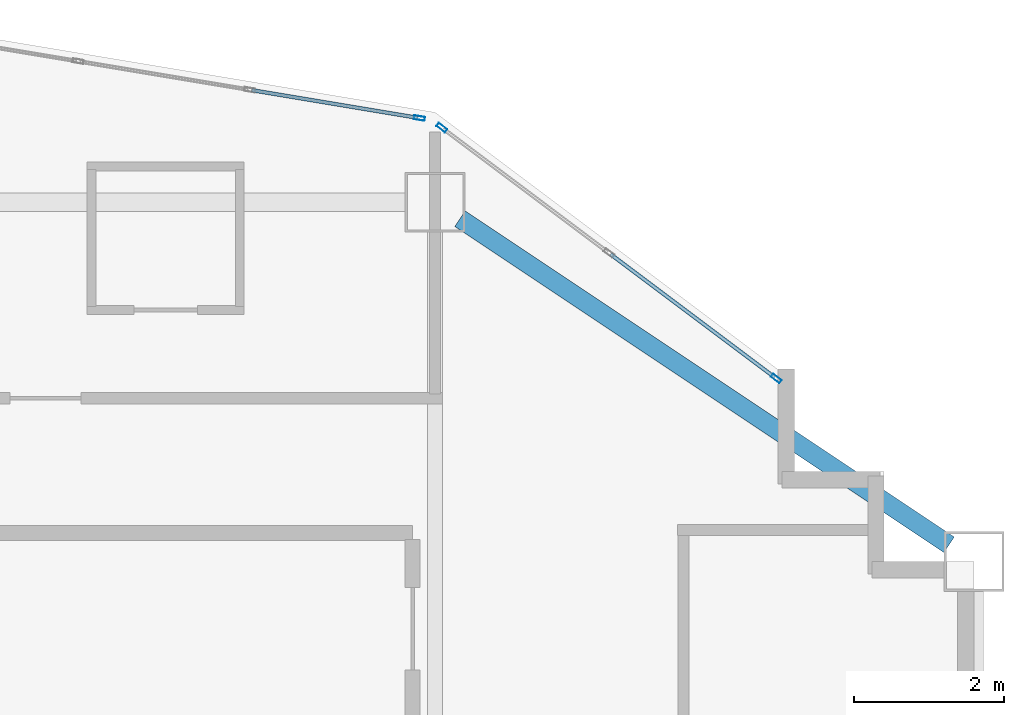
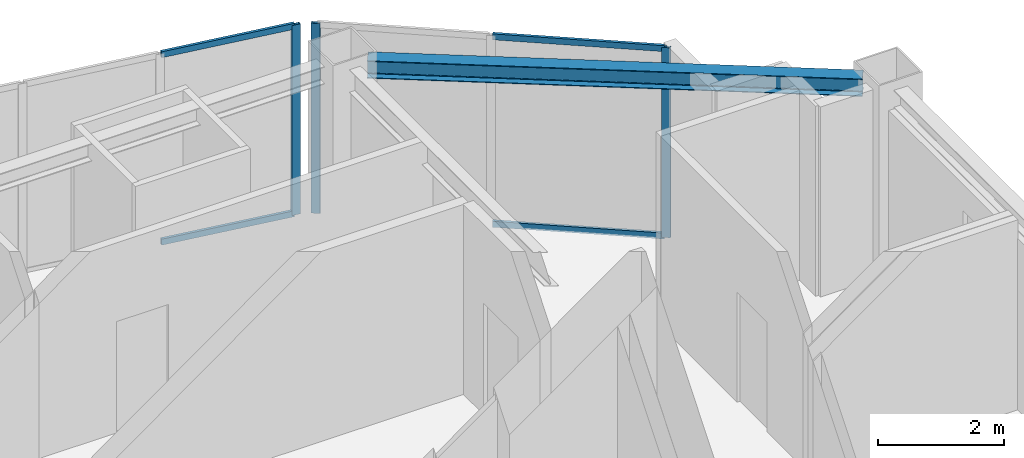
# One storey, part 3 of 10: 7 members, 1 beam, 2 elements without a shape of their own.
"""IFC4 building model written with IfcOpenShell, lengths in metres."""

import ifcopenshell
import ifcopenshell.guid

model = None  # the IFC model being written
_history = None  # IfcOwnerHistory: only IFC2X3 demands one
_inside = {}  # id of a spatial element -> (the spatial element, [elements in it])
_under = {}  # id of a project, library or spatial element -> (it, [spatial elements below it])
_declared = {}  # id of a project -> (the project, [libraries it declares])
_typed = {}  # id of a type object -> (the type object, [elements of that type])
_made_of = {}  # id of a material, layer set ... -> (it, [elements and type objects made of it])


def new_model(schema):
    """Start an empty IFC model of exactly this schema.

    Asked for "IFC4X3", IfcOpenShell would pick the latest addendum, in which some entities
    have other attributes; the version numbers below select the first issue.
    IFC2X3 requires an IfcOwnerHistory on every rooted entity: one is made here for all.
    """
    global model, _history
    if schema == "IFC4X3":
        model = ifcopenshell.file(schema_version=(4, 3, 0, 0))
    else:
        model = ifcopenshell.file(schema=schema)
    _inside.clear()
    _under.clear()
    _declared.clear()
    _typed.clear()
    _made_of.clear()
    _history = None
    if model.schema == "IFC2X3":
        org = make("IfcOrganization", Name="unknown")
        user = make(
            "IfcPersonAndOrganization",
            ThePerson=make("IfcPerson", FamilyName="unknown"),
            TheOrganization=org,
        )
        app = make(
            "IfcApplication",
            ApplicationDeveloper=org,
            Version="unknown",
            ApplicationFullName="unknown",
            ApplicationIdentifier="unknown",
        )
        _history = make(
            "IfcOwnerHistory",
            OwningUser=user,
            OwningApplication=app,
            ChangeAction="ADDED",
            CreationDate=0,
        )
    return model


def make(cls, **values):
    """One entity of the class cls with the attributes given. An attribute that is None is left unset."""
    return model.create_entity(
        cls, **{name: value for name, value in values.items() if value is not None}
    )


def rooted(cls, **values):
    """An entity with a GlobalId (a new one), such as an element, a storey or a relation."""
    return make(cls, GlobalId=ifcopenshell.guid.new(), OwnerHistory=_history, **values)


def si_unit(unit_type, name, prefix=None):
    """IfcSIUnit, for example si_unit("LENGTHUNIT", "METRE", prefix="MILLI")."""
    return make("IfcSIUnit", UnitType=unit_type, Prefix=prefix, Name=name)


def assignment(units):
    """IfcUnitAssignment: the units of a project."""
    return None if units is None else make("IfcUnitAssignment", Units=units)


def point(xyz):
    """IfcCartesianPoint."""
    return None if xyz is None else make("IfcCartesianPoint", Coordinates=xyz)


def direction(xyz):
    """IfcDirection."""
    return None if xyz is None else make("IfcDirection", DirectionRatios=xyz)


def frame(location, z_axis=None, x_axis=None):
    """IfcAxis2Placement3D, a coordinate frame: its origin and axes. An axis left out is left unset."""
    return make(
        "IfcAxis2Placement3D",
        Location=point(location),
        Axis=direction(z_axis),
        RefDirection=direction(x_axis),
    )


def frame_2d(location, x_axis=None):
    """IfcAxis2Placement2D, a coordinate frame in the plane: its origin and x axis."""
    return make(
        "IfcAxis2Placement2D", Location=point(location), RefDirection=direction(x_axis)
    )


def origin():
    """The frame at (0, 0, 0) with its axes left unset."""
    return frame((0.0, 0.0, 0.0))


def origin_2d():
    """The frame at (0, 0) in the plane with its x axis left unset."""
    return frame_2d((0.0, 0.0))


def place(relative_to, where):
    """IfcLocalPlacement: puts the frame where relative to a parent placement (None: the world)."""
    return make(
        "IfcLocalPlacement", PlacementRelTo=relative_to, RelativePlacement=where
    )


def context(
    kind, dimensions, precision=None, world=None, true_north=None, identifier=None
):
    """IfcGeometricRepresentationContext, for example the 3D "Model" context."""
    return make(
        "IfcGeometricRepresentationContext",
        ContextIdentifier=identifier,
        ContextType=kind,
        CoordinateSpaceDimension=dimensions,
        Precision=precision,
        WorldCoordinateSystem=world,
        TrueNorth=true_north,
    )


def subcontext(parent, identifier, kind, view, scale=None):
    """IfcGeometricRepresentationSubContext, for example "Body" below "Model"."""
    return make(
        "IfcGeometricRepresentationSubContext",
        ContextIdentifier=identifier,
        ContextType=kind,
        ParentContext=parent,
        TargetScale=scale,
        TargetView=view,
    )


def project(units=None, contexts=None):
    """IfcProject with its units and contexts."""
    return rooted(
        "IfcProject",
        Name="project",
        RepresentationContexts=contexts,
        UnitsInContext=assignment(units),
    )


def spatial(cls, under=None, at=None, **own):
    """A site, building, storey or space (cls), placed at a placement, below another one or the project."""
    s = rooted(cls, ObjectPlacement=at, **own)
    if under is not None:
        _under.setdefault(under.id(), (under, []))[1].append(s)
    return s


def profile(cls, at=None, kind="AREA", **sizes):
    """A parametric profile (cls). Its sizes go by their IFC names, for example OverallWidth=200.0."""
    return make(cls, ProfileType=kind, Position=at, **sizes)


def hollow_rectangle(**sizes):
    """IfcRectangleHollowProfileDef."""
    return profile("IfcRectangleHollowProfileDef", **sizes)


def i_section(**sizes):
    """IfcIShapeProfileDef."""
    return profile("IfcIShapeProfileDef", **sizes)


def extrude(swept, where, along, depth):
    """IfcExtrudedAreaSolid: the profile swept, set in the frame where, extruded along a direction by depth."""
    return make(
        "IfcExtrudedAreaSolid",
        SweptArea=swept,
        Position=where,
        ExtrudedDirection=direction(along),
        Depth=depth,
    )


def shape(context_of_items, identifier, shape_type, items):
    """IfcShapeRepresentation: the items that make up one representation, for example the "Body"."""
    return make(
        "IfcShapeRepresentation",
        ContextOfItems=context_of_items,
        RepresentationIdentifier=identifier,
        RepresentationType=shape_type,
        Items=items,
    )


def material(Name=None, Category=None):
    """IfcMaterial."""
    return make("IfcMaterial", Name=Name, Category=Category)


def layer(
    of_material, thickness, ventilated=None, Name=None, Category=None, Priority=None
):
    """IfcMaterialLayer: one layer of a wall or slab, of a material (None: an air gap)."""
    return make(
        "IfcMaterialLayer",
        Material=of_material,
        LayerThickness=thickness,
        IsVentilated=ventilated,
        Name=Name,
        Category=Category,
        Priority=Priority,
    )


def layer_set(layers, Name=None):
    """IfcMaterialLayerSet."""
    return make("IfcMaterialLayerSet", MaterialLayers=layers, LayerSetName=Name)


def material_profile(
    of_material, cross_section, Name=None, Category=None, Priority=None
):
    """IfcMaterialProfile: a cross section and its material."""
    return make(
        "IfcMaterialProfile",
        Name=Name,
        Material=of_material,
        Profile=cross_section,
        Priority=Priority,
        Category=Category,
    )


def profile_set(profiles, Name=None, composite=None):
    """IfcMaterialProfileSet."""
    return make(
        "IfcMaterialProfileSet",
        Name=Name,
        MaterialProfiles=profiles,
        CompositeProfile=composite,
    )


def made_of(thing, what):
    """Note that an element or type object is made of a material, layer set ...; save() writes the relation."""
    if what is not None:
        _made_of.setdefault(what.id(), (what, []))[1].append(thing)
    return thing


def type_object(cls, material=None, **own):
    """A type object (cls), such as IfcWallType, which elements share."""
    return made_of(rooted(cls, **own), material)


def element(
    cls,
    number,
    at=None,
    inside=None,
    cuts=None,
    type_object=None,
    material=None,
    context=None,
    identifier="Body",
    shape_type=None,
    held_by="IfcProductDefinitionShape",
    body=None,
    shapes=None,
    **own,
):
    """One element of the class cls, such as IfcWall. Its Tag is "e" and its number.

    at: its placement. inside: the storey or other place that contains it. cuts: it is an
    opening in that element (IfcRelVoidsElement). A single representation is given by context,
    identifier, shape_type and body (its items); several are given by shapes. held_by: the class
    of the entity that holds the representations. save() writes the other relations.
    """
    e = rooted(cls, Tag="e%d" % number, ObjectPlacement=at, **own)
    if body is not None:
        shapes = [shape(context, identifier, shape_type, body)]
    if shapes is not None:
        e.Representation = make(held_by, Representations=shapes)
    if inside is not None:
        _inside.setdefault(inside.id(), (inside, []))[1].append(e)
    if cuts is not None:
        rooted(
            "IfcRelVoidsElement", RelatingBuildingElement=cuts, RelatedOpeningElement=e
        )
    if type_object is not None:
        _typed.setdefault(type_object.id(), (type_object, []))[1].append(e)
    return made_of(e, material)


def aggregate(whole, parts):
    """IfcRelAggregates: a whole, such as a stair, and the parts it consists of."""
    return rooted("IfcRelAggregates", RelatingObject=whole, RelatedObjects=parts)


def save(model, path):
    """Write the relations noted so far, then the file.

    IfcRelAggregates (storeys below a building ...), IfcRelContainedInSpatialStructure (elements
    in a storey), IfcRelDefinesByType, IfcRelAssociatesMaterial and IfcRelDeclares: one each for
    every whole, place, type object, material and project.
    """
    for whole, parts in _under.values():
        aggregate(whole, parts)
    for where, things in _inside.values():
        rooted(
            "IfcRelContainedInSpatialStructure",
            RelatedElements=things,
            RelatingStructure=where,
        )
    for kind, things in _typed.values():
        rooted("IfcRelDefinesByType", RelatedObjects=things, RelatingType=kind)
    for what, things in _made_of.values():
        rooted("IfcRelAssociatesMaterial", RelatedObjects=things, RelatingMaterial=what)
    for by, libraries in _declared.values():
        rooted("IfcRelDeclares", RelatingContext=by, RelatedDefinitions=libraries)
    model.write(path)


model = new_model("IFC4")

# Units and contexts
model_context = context("Model", 3, precision=1e-05, world=origin(), true_north=direction((0.0, 1.0)))
body_context = subcontext(model_context, "Body", "Model", "MODEL_VIEW")
ifc_project = project(units=[si_unit("LENGTHUNIT", "METRE"), si_unit("AREAUNIT", "SQUARE_METRE"), si_unit("VOLUMEUNIT", "CUBIC_METRE"), si_unit("PLANEANGLEUNIT", "RADIAN"), si_unit("MASSUNIT", "GRAM", prefix="KILO")], contexts=[model_context])

# Site, building, storey
site_placement = place(None, origin())
site = spatial("IfcSite", under=ifc_project, at=site_placement, CompositionType="ELEMENT")
building_placement = place(site_placement, origin())
building = spatial("IfcBuilding", under=site, at=building_placement, Name="Haolan Belvedere Tower", CompositionType="ELEMENT")
storey_placement = place(building_placement, frame((0.0, 0.0, 258.300048828125)))
storey = spatial("IfcBuildingStorey", under=building, at=storey_placement, Name="L65", CompositionType="ELEMENT", Elevation=258.300048828125)

# Beam
ifc_material_1 = material(Name="Steel Q355B", Category="steel")
ifc_material_profile_1 = material_profile(ifc_material_1, i_section(OverallWidth=0.25, OverallDepth=0.340087890625, WebThickness=0.009033203125, FlangeThickness=0.013916015625, FilletRadius=0.02001953125, at=origin_2d()), Name="Steel Q355B")
ifc_profile_set_1 = profile_set([ifc_material_profile_1], Name="Steel Q355B")
beam_type = type_object("IfcBeamType", Name="BM-HM340x250x9x14", PredefinedType="SPANDREL", material=ifc_profile_set_1)
beam_placement = place(storey_placement, frame((45.932861328125, 50.17822265625, 3.5), z_axis=(0.832040729016, -0.55471454394, 0.0), x_axis=(0.55471454394, 0.832040729016, 0.0)))
element("IfcBeam", 1, at=beam_placement, inside=storey, type_object=beam_type, Name="L65 spandrel girder MC-T3-N2-MC-T3-NE", PredefinedType="SPANDREL", context=body_context, shape_type="SweptSolid", body=[
    extrude(i_section(OverallWidth=0.25, OverallDepth=0.340087890625, WebThickness=0.009033203125, FlangeThickness=0.013916015625, FilletRadius=0.02001953125, at=origin_2d()), origin(), (0.0, 0.0, 1.0), 7.853515625),
])

# Curtain wall, members
ifc_material_2 = material(Name="Anodised champagne-silver aluminium 6063-T6 and Low-E glass", Category="aluminium")
ifc_layer = layer(ifc_material_2, 0.14501953125, Name="Anodised champagne-silver aluminium 6063-T6 and Low-E glass")
ifc_layer_set = layer_set([ifc_layer], Name="Anodised champagne-silver aluminium 6063-T6 and Low-E glass")
curtain_wall_type = type_object("IfcCurtainWallType", Name="CW-SYS-05", PredefinedType="NOTDEFINED", material=ifc_layer_set)
curtain_wall_1_placement = place(storey_placement, origin())
curtain_wall_1 = element("IfcCurtainWall", 2, at=curtain_wall_1_placement, inside=storey, type_object=curtain_wall_type, Name="L65 CW-SYS-05 ribbon curtain wall 8.1", PredefinedType="NOTDEFINED")
ifc_material_3 = material(Name="Anodised aluminium 6063-T6", Category="aluminium")
ifc_material_profile_2 = material_profile(ifc_material_3, hollow_rectangle(XDim=0.053955078125, YDim=0.14501953125, WallThickness=0.00390625, at=origin_2d()), Name="Anodised aluminium 6063-T6")
ifc_profile_set_2 = profile_set([ifc_material_profile_2], Name="Anodised aluminium 6063-T6")
member_type_1 = type_object("IfcMemberType", Name="CW-SYS-05-MUL", PredefinedType="MULLION", material=ifc_profile_set_2)
member_1_placement = place(storey_placement, frame((50.156494140625, 48.045166015625, 0.0), z_axis=(0.0, 0.0, 1.0), x_axis=(-0.600002837806, -0.799997871638, 0.0)))
member_1 = element("IfcMember", 3, at=member_1_placement, type_object=member_type_1, Name="CW-05 mullion 1", PredefinedType="MULLION", context=body_context, shape_type="SweptSolid", body=[
    extrude(hollow_rectangle(XDim=0.053955078125, YDim=0.14501953125, WallThickness=0.00390625, at=origin_2d()), origin(), (0.0, 0.0, 1.0), 3.669921875),
])
member_2_placement = place(storey_placement, frame((45.689208984375, 51.395751953125, 0.0), z_axis=(0.0, 0.0, 1.0), x_axis=(-0.600002837806, -0.799997871638, 0.0)))
member_2 = element("IfcMember", 4, at=member_2_placement, type_object=member_type_1, Name="CW-05 mullion 3", PredefinedType="MULLION", context=body_context, shape_type="SweptSolid", body=[
    extrude(hollow_rectangle(XDim=0.053955078125, YDim=0.14501953125, WallThickness=0.00390625, at=origin_2d()), origin(), (0.0, 0.0, 1.0), 3.669921875),
])

# Curtain wall, member
curtain_wall_2_placement = place(storey_placement, origin())
curtain_wall_2 = element("IfcCurtainWall", 5, at=curtain_wall_2_placement, inside=storey, type_object=curtain_wall_type, Name="L65 CW-SYS-05 ribbon curtain wall 9.1", PredefinedType="NOTDEFINED")
member_3_placement = place(storey_placement, frame((45.390869140625, 51.5234375, 0.0), z_axis=(0.0, 0.0, 1.0), x_axis=(-0.164405962825, -0.98639276122, 0.0)))
member_3 = element("IfcMember", 6, at=member_3_placement, type_object=member_type_1, Name="CW-05 mullion 1", PredefinedType="MULLION", context=body_context, shape_type="SweptSolid", body=[
    extrude(hollow_rectangle(XDim=0.053955078125, YDim=0.14501953125, WallThickness=0.00390625, at=origin_2d()), origin(), (0.0, 0.0, 1.0), 3.669921875),
])

# Member
ifc_material_profile_3 = material_profile(ifc_material_3, hollow_rectangle(XDim=0.050048828125, YDim=0.114990234375, WallThickness=0.00390625, at=origin_2d()), Name="Anodised aluminium 6063-T6")
ifc_profile_set_3 = profile_set([ifc_material_profile_3], Name="Anodised aluminium 6063-T6")
member_type_2 = type_object("IfcMemberType", Name="CW-SYS-05-TRN", PredefinedType="USERDEFINED", material=ifc_profile_set_3)
member_4_placement = place(storey_placement, frame((50.134765625, 48.061279296875, 0.02490234375), z_axis=(-0.799957200433, 0.60005706185, 0.0), x_axis=(-0.60005706185, -0.799957200433, 0.0)))
member_4 = element("IfcMember", 7, at=member_4_placement, type_object=member_type_2, Name="CW-05 transom 1.1", ObjectType="TRANSOM", PredefinedType="USERDEFINED", context=body_context, shape_type="SweptSolid", body=[
    extrude(hollow_rectangle(XDim=0.050048828125, YDim=0.114990234375, WallThickness=0.00390625, at=origin_2d()), origin(), (0.0, 0.0, 1.0), 2.73828125),
])

member_5_placement = place(storey_placement, frame((50.134765625, 48.061279296875, 3.64501953125), z_axis=(-0.799957200433, 0.60005706185, 0.0), x_axis=(-0.60005706185, -0.799957200433, 0.0)))
member_5 = element("IfcMember", 8, at=member_5_placement, type_object=member_type_2, Name="CW-05 transom 1.2", ObjectType="TRANSOM", PredefinedType="USERDEFINED", context=body_context, shape_type="SweptSolid", body=[
    extrude(hollow_rectangle(XDim=0.050048828125, YDim=0.114990234375, WallThickness=0.00390625, at=origin_2d()), origin(), (0.0, 0.0, 1.0), 2.73828125),
])

aggregate(curtain_wall_1, [member_1, member_2, member_4, member_5])

member_6_placement = place(storey_placement, frame((45.364013671875, 51.52783203125, 0.02490234375), z_axis=(-0.986390982779, 0.164416632651, 0.0), x_axis=(-0.164416632651, -0.986390982779, 0.0)))
member_6 = element("IfcMember", 9, at=member_6_placement, type_object=member_type_2, Name="CW-05 transom 1.1", ObjectType="TRANSOM", PredefinedType="USERDEFINED", context=body_context, shape_type="SweptSolid", body=[
    extrude(hollow_rectangle(XDim=0.050048828125, YDim=0.114990234375, WallThickness=0.00390625, at=origin_2d()), origin(), (0.0, 0.0, 1.0), 2.24365234375),
])

member_7_placement = place(storey_placement, frame((45.364013671875, 51.52783203125, 3.64501953125), z_axis=(-0.986390982779, 0.164416632651, 0.0), x_axis=(-0.164416632651, -0.986390982779, 0.0)))
member_7 = element("IfcMember", 10, at=member_7_placement, type_object=member_type_2, Name="CW-05 transom 1.2", ObjectType="TRANSOM", PredefinedType="USERDEFINED", context=body_context, shape_type="SweptSolid", body=[
    extrude(hollow_rectangle(XDim=0.050048828125, YDim=0.114990234375, WallThickness=0.00390625, at=origin_2d()), origin(), (0.0, 0.0, 1.0), 2.24365234375),
])

aggregate(curtain_wall_2, [member_3, member_6, member_7])

save(model, "model.ifc")
